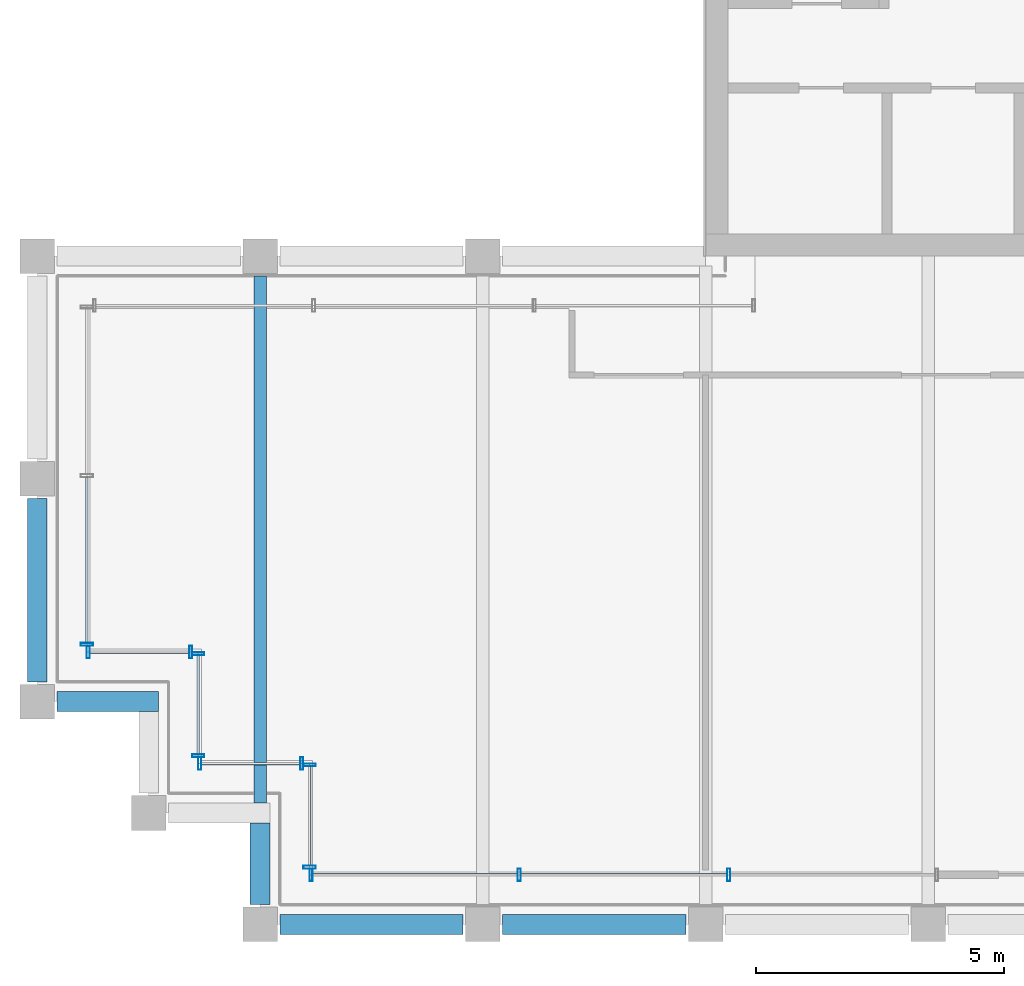
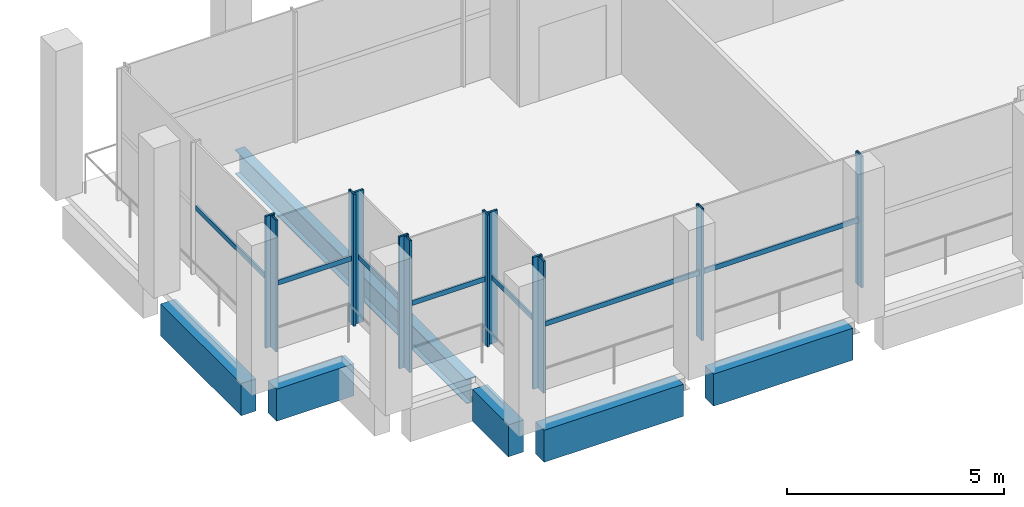
# One storey, part 2 of 17: 19 members, 6 beams, 6 elements without a shape of their own.
"""IFC4 building model written with IfcOpenShell, lengths in metres."""

from ifc_helpers import new_model, si_unit, direction, frame, origin, origin_2d, place, context, subcontext, project, spatial, rectangle, hollow_rectangle, i_section, extrude, material, material_profile, profile_set, type_object, element, aggregate, save


model = new_model("IFC4")

# Units and contexts
model_context = context("Model", 3, precision=1e-05, world=origin(), true_north=direction((0.0, 1.0)))
body_context = subcontext(model_context, "Body", "Model", "MODEL_VIEW")
ifc_project = project(units=[si_unit("LENGTHUNIT", "METRE"), si_unit("AREAUNIT", "SQUARE_METRE"), si_unit("VOLUMEUNIT", "CUBIC_METRE"), si_unit("PLANEANGLEUNIT", "RADIAN"), si_unit("MASSUNIT", "GRAM", prefix="KILO")], contexts=[model_context])

# Site, building, storey
site_placement = place(None, origin())
site = spatial("IfcSite", under=ifc_project, at=site_placement, CompositionType="ELEMENT")
building_placement = place(site_placement, origin())
building = spatial("IfcBuilding", under=site, at=building_placement, Name="Altepetl Exchange Towers", CompositionType="ELEMENT")
storey_placement = place(building_placement, frame((0.0, 0.0, 251.0)))
storey = spatial("IfcBuildingStorey", under=building, at=storey_placement, Name="L64", CompositionType="ELEMENT", Elevation=251.0)

# Beam
ifc_material_1 = material(Name="Steel S355", Category="steel")
ifc_material_profile_1 = material_profile(ifc_material_1, i_section(OverallWidth=0.25390625, OverallDepth=0.68408203125, WebThickness=0.012451171875, FlangeThickness=0.018798828125, at=origin_2d()), Name="W27X94")
ifc_profile_set_1 = profile_set([ifc_material_profile_1], Name="Steel S355")
beam_type_1 = type_object("IfcBeamType", Name="Floor beam W27X94", PredefinedType="BEAM", material=ifc_profile_set_1)
beam_1_placement = place(storey_placement, frame((31.5, 29.449951171875, -0.51708984375), z_axis=(0.0, 1.0, 0.0), x_axis=(-1.0, 0.0, 0.0)))
element("IfcBeam", 1, at=beam_1_placement, inside=storey, type_object=beam_type_1, Name="bm:A:L64:012", PredefinedType="BEAM", context=body_context, shape_type="SweptSolid", body=[
    extrude(i_section(OverallWidth=0.25390625, OverallDepth=0.68408203125, WebThickness=0.012451171875, FlangeThickness=0.018798828125, at=origin_2d()), origin(), (0.0, 0.0, 1.0), 10.650146484375),
])

# Curtain wall, member
ifc_material_2 = material(Name="Aluminium 6063-T6 glazing", Category="aluminium")
curtain_wall_type = type_object("IfcCurtainWallType", Name="Executive flush glazing system", PredefinedType="NOTDEFINED", material=ifc_material_2)
curtain_wall_1_placement = place(storey_placement, origin())
curtain_wall_1 = element("IfcCurtainWall", 2, at=curtain_wall_1_placement, inside=storey, type_object=curtain_wall_type, Name="CW4 run", PredefinedType="NOTDEFINED")
ifc_material_3 = material(Name="Aluminium 6063-T6", Category="aluminium")
ifc_material_profile_2 = material_profile(ifc_material_3, hollow_rectangle(XDim=0.06005859375, YDim=0.25, WallThickness=0.0029296875, at=origin_2d()), Name="Mullion 60x250 hollow aluminium")
ifc_profile_set_2 = profile_set([ifc_material_profile_2], Name="Aluminium 6063-T6")
member_type_1 = type_object("IfcMemberType", Name="Mullion 60x250 hollow aluminium", PredefinedType="MULLION", material=ifc_profile_set_2)
member_1_placement = place(storey_placement, frame((28.0, 32.655029296875, 0.0), z_axis=(0.0, 0.0, 1.0), x_axis=(0.0, -1.0, 0.0)))
member_1 = element("IfcMember", 3, at=member_1_placement, type_object=member_type_1, Name="MU3 mullion", PredefinedType="MULLION", context=body_context, shape_type="SweptSolid", body=[
    extrude(hollow_rectangle(XDim=0.06005859375, YDim=0.25, WallThickness=0.0029296875, at=origin_2d()), origin(), (0.0, 0.0, 1.0), 3.699951171875),
])

# Curtain wall, members
curtain_wall_2_placement = place(storey_placement, origin())
curtain_wall_2 = element("IfcCurtainWall", 4, at=curtain_wall_2_placement, inside=storey, type_object=curtain_wall_type, Name="CW4 run", PredefinedType="NOTDEFINED")
member_2_placement = place(storey_placement, frame((28.030029296875, 32.5, 0.0)))
member_2 = element("IfcMember", 5, at=member_2_placement, type_object=member_type_1, Name="MU3 mullion", PredefinedType="MULLION", context=body_context, shape_type="SweptSolid", body=[
    extrude(hollow_rectangle(XDim=0.06005859375, YDim=0.25, WallThickness=0.0029296875, at=origin_2d()), origin(), (0.0, 0.0, 1.0), 3.699951171875),
])
member_3_placement = place(storey_placement, frame((30.094970703125, 32.5, 0.0)))
member_3 = element("IfcMember", 6, at=member_3_placement, type_object=member_type_1, Name="MU3 mullion", PredefinedType="MULLION", context=body_context, shape_type="SweptSolid", body=[
    extrude(hollow_rectangle(XDim=0.06005859375, YDim=0.25, WallThickness=0.0029296875, at=origin_2d()), origin(), (0.0, 0.0, 1.0), 3.699951171875),
])

curtain_wall_3_placement = place(storey_placement, origin())
curtain_wall_3 = element("IfcCurtainWall", 7, at=curtain_wall_3_placement, inside=storey, type_object=curtain_wall_type, Name="CW4 run", PredefinedType="NOTDEFINED")
member_4_placement = place(storey_placement, frame((30.25, 32.469970703125, 0.0), z_axis=(0.0, 0.0, 1.0), x_axis=(0.0, -1.0, 0.0)))
member_4 = element("IfcMember", 8, at=member_4_placement, type_object=member_type_1, Name="MU3 mullion", PredefinedType="MULLION", context=body_context, shape_type="SweptSolid", body=[
    extrude(hollow_rectangle(XDim=0.06005859375, YDim=0.25, WallThickness=0.0029296875, at=origin_2d()), origin(), (0.0, 0.0, 1.0), 3.699951171875),
])
member_5_placement = place(storey_placement, frame((30.25, 30.405029296875, 0.0), z_axis=(0.0, 0.0, 1.0), x_axis=(0.0, -1.0, 0.0)))
member_5 = element("IfcMember", 9, at=member_5_placement, type_object=member_type_1, Name="MU3 mullion", PredefinedType="MULLION", context=body_context, shape_type="SweptSolid", body=[
    extrude(hollow_rectangle(XDim=0.06005859375, YDim=0.25, WallThickness=0.0029296875, at=origin_2d()), origin(), (0.0, 0.0, 1.0), 3.699951171875),
])

curtain_wall_4_placement = place(storey_placement, origin())
curtain_wall_4 = element("IfcCurtainWall", 10, at=curtain_wall_4_placement, inside=storey, type_object=curtain_wall_type, Name="CW4 run", PredefinedType="NOTDEFINED")
member_6_placement = place(storey_placement, frame((30.280029296875, 30.25, 0.0)))
member_6 = element("IfcMember", 11, at=member_6_placement, type_object=member_type_1, Name="MU3 mullion", PredefinedType="MULLION", context=body_context, shape_type="SweptSolid", body=[
    extrude(hollow_rectangle(XDim=0.06005859375, YDim=0.25, WallThickness=0.0029296875, at=origin_2d()), origin(), (0.0, 0.0, 1.0), 3.699951171875),
])
member_7_placement = place(storey_placement, frame((32.344970703125, 30.25, 0.0)))
member_7 = element("IfcMember", 12, at=member_7_placement, type_object=member_type_1, Name="MU3 mullion", PredefinedType="MULLION", context=body_context, shape_type="SweptSolid", body=[
    extrude(hollow_rectangle(XDim=0.06005859375, YDim=0.25, WallThickness=0.0029296875, at=origin_2d()), origin(), (0.0, 0.0, 1.0), 3.699951171875),
])

curtain_wall_5_placement = place(storey_placement, origin())
curtain_wall_5 = element("IfcCurtainWall", 13, at=curtain_wall_5_placement, inside=storey, type_object=curtain_wall_type, Name="CW4 run", PredefinedType="NOTDEFINED")
member_8_placement = place(storey_placement, frame((32.5, 30.219970703125, 0.0), z_axis=(0.0, 0.0, 1.0), x_axis=(0.0, -1.0, 0.0)))
member_8 = element("IfcMember", 14, at=member_8_placement, type_object=member_type_1, Name="MU3 mullion", PredefinedType="MULLION", context=body_context, shape_type="SweptSolid", body=[
    extrude(hollow_rectangle(XDim=0.06005859375, YDim=0.25, WallThickness=0.0029296875, at=origin_2d()), origin(), (0.0, 0.0, 1.0), 3.699951171875),
])
member_9_placement = place(storey_placement, frame((32.5, 28.155029296875, 0.0), z_axis=(0.0, 0.0, 1.0), x_axis=(0.0, -1.0, 0.0)))
member_9 = element("IfcMember", 15, at=member_9_placement, type_object=member_type_1, Name="MU3 mullion", PredefinedType="MULLION", context=body_context, shape_type="SweptSolid", body=[
    extrude(hollow_rectangle(XDim=0.06005859375, YDim=0.25, WallThickness=0.0029296875, at=origin_2d()), origin(), (0.0, 0.0, 1.0), 3.699951171875),
])

curtain_wall_6_placement = place(storey_placement, origin())
curtain_wall_6 = element("IfcCurtainWall", 16, at=curtain_wall_6_placement, inside=storey, type_object=curtain_wall_type, Name="CW4 run", PredefinedType="NOTDEFINED")
member_10_placement = place(storey_placement, frame((32.530029296875, 28.0, 0.0)))
member_10 = element("IfcMember", 17, at=member_10_placement, type_object=member_type_1, Name="MU3 mullion", PredefinedType="MULLION", context=body_context, shape_type="SweptSolid", body=[
    extrude(hollow_rectangle(XDim=0.06005859375, YDim=0.25, WallThickness=0.0029296875, at=origin_2d()), origin(), (0.0, 0.0, 1.0), 3.699951171875),
])
member_11_placement = place(storey_placement, frame((36.734375, 28.0, 0.0)))
member_11 = element("IfcMember", 18, at=member_11_placement, type_object=member_type_1, Name="MU3 mullion", PredefinedType="MULLION", context=body_context, shape_type="SweptSolid", body=[
    extrude(hollow_rectangle(XDim=0.06005859375, YDim=0.25, WallThickness=0.0029296875, at=origin_2d()), origin(), (0.0, 0.0, 1.0), 3.699951171875),
])
member_12_placement = place(storey_placement, frame((40.96875, 28.0, 0.0)))
member_12 = element("IfcMember", 19, at=member_12_placement, type_object=member_type_1, Name="MU3 mullion", PredefinedType="MULLION", context=body_context, shape_type="SweptSolid", body=[
    extrude(hollow_rectangle(XDim=0.06005859375, YDim=0.25, WallThickness=0.0029296875, at=origin_2d()), origin(), (0.0, 0.0, 1.0), 3.699951171875),
])

# Beams
ifc_material_4 = material(Name="Concrete C50/60 precast with cantera blanca facing", Category="concrete")
ifc_material_profile_3 = material_profile(ifc_material_4, rectangle(XDim=0.39990234375, YDim=0.89990234375, at=origin_2d()), Name="400 x 900")
ifc_profile_set_3 = profile_set([ifc_material_profile_3], Name="Concrete C50/60 precast with cantera blanca facing")
beam_type_2 = type_object("IfcBeamType", Name="Spandrel beam 400x900 cantera blanca", PredefinedType="SPANDREL", material=ifc_profile_set_3)
for number, where, z_axis, x_axis, name in (
    (20, (31.89990234375, 27.0, -0.625), (1.0, 0.0, 0.0), (0.0, 1.0, 0.0), "sp:A:L64:000"),
    (21, (36.39990234375, 27.0, -0.625), (1.0, 0.0, 0.0), (0.0, 1.0, 0.0), "sp:A:L64:001"),
    (22, (27.0, 35.60009765625, -0.625), (0.0, -1.0, 0.0), (1.0, 0.0, 0.0), "sp:A:L64:037"),
):
    element("IfcBeam", number, at=place(storey_placement, frame(where, z_axis=z_axis, x_axis=x_axis)), inside=storey, type_object=beam_type_2, Name=name, PredefinedType="SPANDREL", context=body_context, shape_type="SweptSolid", body=[
        extrude(rectangle(XDim=0.39990234375, YDim=0.89990234375, at=origin_2d()), origin(), (0.0, 0.0, 1.0), 3.7001953125),
    ])
beam_2_placement = place(storey_placement, frame((27.39990234375, 31.5, -0.625), z_axis=(1.0, 0.0, 0.0), x_axis=(0.0, 1.0, 0.0)))
element("IfcBeam", 23, at=beam_2_placement, inside=storey, type_object=beam_type_2, Name="sp:A:L64:038", PredefinedType="SPANDREL", context=body_context, shape_type="SweptSolid", body=[
    extrude(rectangle(XDim=0.39990234375, YDim=0.89990234375, at=origin_2d()), origin(), (0.0, 0.0, 1.0), 2.050048828125),
])
beam_3_placement = place(storey_placement, frame((31.5, 29.050048828125, -0.625), z_axis=(0.0, -1.0, 0.0), x_axis=(1.0, 0.0, 0.0)))
element("IfcBeam", 24, at=beam_3_placement, inside=storey, type_object=beam_type_2, Name="sp:A:L64:041", PredefinedType="SPANDREL", context=body_context, shape_type="SweptSolid", body=[
    extrude(rectangle(XDim=0.39990234375, YDim=0.89990234375, at=origin_2d()), origin(), (0.0, 0.0, 1.0), 1.650146484375),
])

# Member
ifc_material_profile_4 = material_profile(ifc_material_3, hollow_rectangle(XDim=0.050048828125, YDim=0.139892578125, WallThickness=0.0029296875, at=origin_2d()), Name="Transom 50x140 hollow aluminium")
ifc_profile_set_4 = profile_set([ifc_material_profile_4], Name="Aluminium 6063-T6")
member_type_2 = type_object("IfcMemberType", Name="Transom 50x140 hollow aluminium", PredefinedType="USERDEFINED", material=ifc_profile_set_4)
member_13_placement = place(storey_placement, frame((28.0, 36.032470703125, 1.85009765625), z_axis=(0.0, -1.0, 0.0), x_axis=(1.0, 0.0, 0.0)))
member_13 = element("IfcMember", 25, at=member_13_placement, type_object=member_type_2, Name="TR2 transom", ObjectType="TRANSOM", PredefinedType="USERDEFINED", context=body_context, shape_type="SweptSolid", body=[
    extrude(hollow_rectangle(XDim=0.050048828125, YDim=0.139892578125, WallThickness=0.0029296875, at=origin_2d()), origin(), (0.0, 0.0, 1.0), 3.347412109375),
])

aggregate(curtain_wall_1, [member_1, member_13])

member_14_placement = place(storey_placement, frame((28.06005859375, 32.5, 1.85009765625), z_axis=(1.0, 0.0, 0.0), x_axis=(0.0, 1.0, 0.0)))
member_14 = element("IfcMember", 26, at=member_14_placement, type_object=member_type_2, Name="TR2 transom", ObjectType="TRANSOM", PredefinedType="USERDEFINED", context=body_context, shape_type="SweptSolid", body=[
    extrude(hollow_rectangle(XDim=0.050048828125, YDim=0.139892578125, WallThickness=0.0029296875, at=origin_2d()), origin(), (0.0, 0.0, 1.0), 2.0048828125),
])

aggregate(curtain_wall_2, [member_2, member_3, member_14])

member_15_placement = place(storey_placement, frame((30.25, 32.43994140625, 1.85009765625), z_axis=(0.0, -1.0, 0.0), x_axis=(1.0, 0.0, 0.0)))
member_15 = element("IfcMember", 27, at=member_15_placement, type_object=member_type_2, Name="TR2 transom", ObjectType="TRANSOM", PredefinedType="USERDEFINED", context=body_context, shape_type="SweptSolid", body=[
    extrude(hollow_rectangle(XDim=0.050048828125, YDim=0.139892578125, WallThickness=0.0029296875, at=origin_2d()), origin(), (0.0, 0.0, 1.0), 2.0048828125),
])

aggregate(curtain_wall_3, [member_4, member_5, member_15])

member_16_placement = place(storey_placement, frame((30.31005859375, 30.25, 1.85009765625), z_axis=(1.0, 0.0, 0.0), x_axis=(0.0, 1.0, 0.0)))
member_16 = element("IfcMember", 28, at=member_16_placement, type_object=member_type_2, Name="TR2 transom", ObjectType="TRANSOM", PredefinedType="USERDEFINED", context=body_context, shape_type="SweptSolid", body=[
    extrude(hollow_rectangle(XDim=0.050048828125, YDim=0.139892578125, WallThickness=0.0029296875, at=origin_2d()), origin(), (0.0, 0.0, 1.0), 2.0048828125),
])

aggregate(curtain_wall_4, [member_6, member_7, member_16])

member_17_placement = place(storey_placement, frame((32.5, 30.18994140625, 1.85009765625), z_axis=(0.0, -1.0, 0.0), x_axis=(1.0, 0.0, 0.0)))
member_17 = element("IfcMember", 29, at=member_17_placement, type_object=member_type_2, Name="TR2 transom", ObjectType="TRANSOM", PredefinedType="USERDEFINED", context=body_context, shape_type="SweptSolid", body=[
    extrude(hollow_rectangle(XDim=0.050048828125, YDim=0.139892578125, WallThickness=0.0029296875, at=origin_2d()), origin(), (0.0, 0.0, 1.0), 2.0048828125),
])

aggregate(curtain_wall_5, [member_8, member_9, member_17])

member_18_placement = place(storey_placement, frame((32.56005859375, 28.0, 1.85009765625), z_axis=(1.0, 0.0, 0.0), x_axis=(0.0, 1.0, 0.0)))
member_18 = element("IfcMember", 30, at=member_18_placement, type_object=member_type_2, Name="TR2 transom", ObjectType="TRANSOM", PredefinedType="USERDEFINED", context=body_context, shape_type="SweptSolid", body=[
    extrude(hollow_rectangle(XDim=0.050048828125, YDim=0.139892578125, WallThickness=0.0029296875, at=origin_2d()), origin(), (0.0, 0.0, 1.0), 4.144287109375),
])

member_19_placement = place(storey_placement, frame((36.764404296875, 28.0, 1.85009765625), z_axis=(1.0, 0.0, 0.0), x_axis=(0.0, 1.0, 0.0)))
member_19 = element("IfcMember", 31, at=member_19_placement, type_object=member_type_2, Name="TR2 transom", ObjectType="TRANSOM", PredefinedType="USERDEFINED", context=body_context, shape_type="SweptSolid", body=[
    extrude(hollow_rectangle(XDim=0.050048828125, YDim=0.139892578125, WallThickness=0.0029296875, at=origin_2d()), origin(), (0.0, 0.0, 1.0), 4.17431640625),
])

aggregate(curtain_wall_6, [member_10, member_11, member_12, member_18, member_19])

save(model, "model.ifc")
